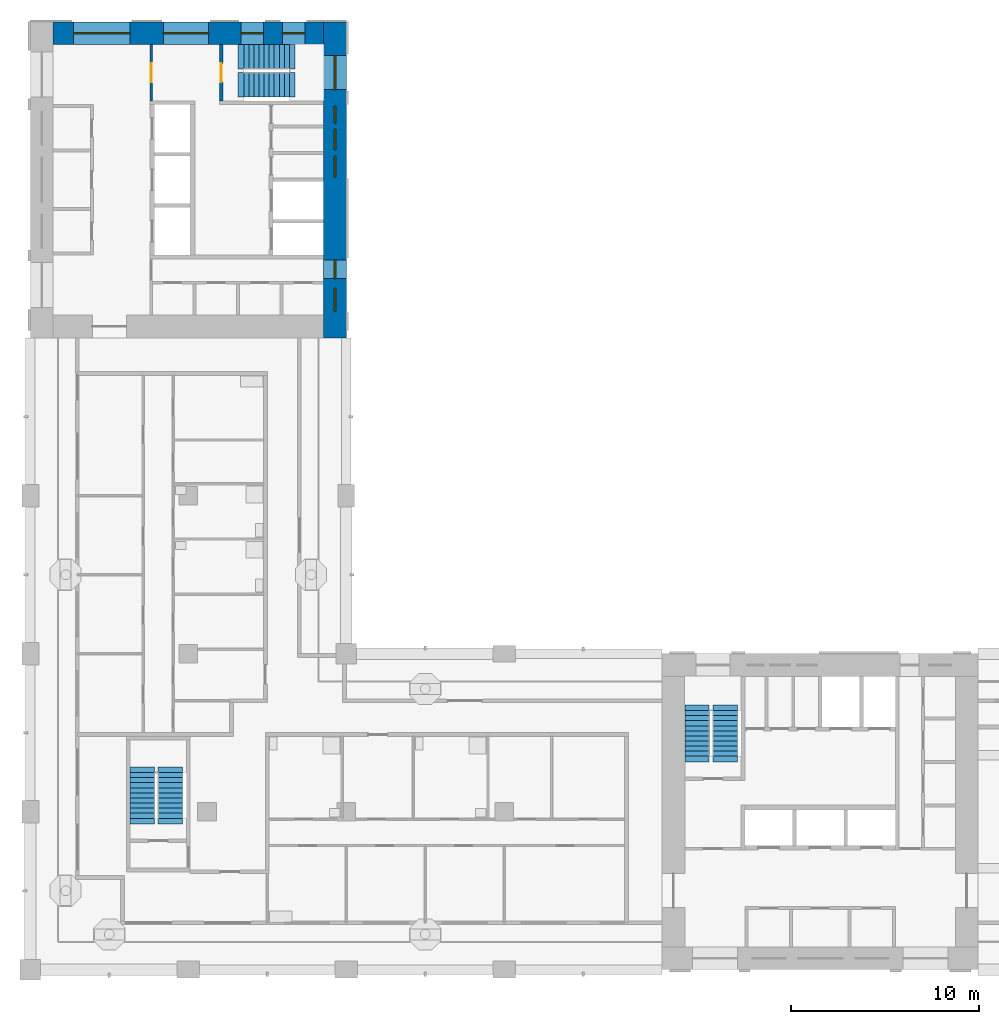
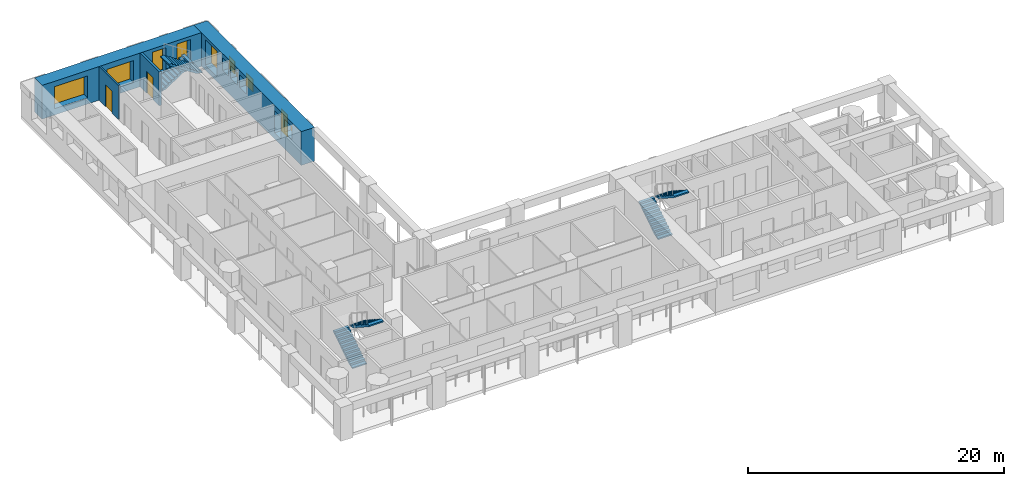
# One storey, part 7 of 13: 10 windows, 6 stair flights, 4 walls, 2 doors, 12 openings, 3 elements without a shape of their own.
"""IFC4 building model written with IfcOpenShell, lengths in metres."""

from ifc_helpers import new_model, si_unit, direction, frame, frame_2d, origin, place, context, subcontext, project, spatial, polyline, rectangle, outline, extrude, material, layer, layer_set, type_object, element, fill, aggregate, save


model = new_model("IFC4")

# Units and contexts
model_context = context("Model", 3, precision=1e-05, world=origin(), true_north=direction((0.0, 1.0)))
body_context = subcontext(model_context, "Body", "Model", "MODEL_VIEW")
ifc_project = project(units=[si_unit("LENGTHUNIT", "METRE"), si_unit("AREAUNIT", "SQUARE_METRE"), si_unit("VOLUMEUNIT", "CUBIC_METRE"), si_unit("PLANEANGLEUNIT", "RADIAN"), si_unit("MASSUNIT", "GRAM", prefix="KILO")], contexts=[model_context])

# Site, building, storey
site_placement = place(None, origin())
site = spatial("IfcSite", under=ifc_project, at=site_placement, CompositionType="ELEMENT")
building_placement = place(site_placement, origin())
building = spatial("IfcBuilding", under=site, at=building_placement, Name="Vermilion Gate Residences", CompositionType="ELEMENT")
storey_placement = place(building_placement, frame((0.0, 0.0, 161.699951171875)))
storey = spatial("IfcBuildingStorey", under=building, at=storey_placement, Name="L41", CompositionType="ELEMENT", Elevation=161.699951171875)

# Wall, opening, door
ifc_material_1 = material(Name="Masonry blockwork", Category="masonry")
ifc_layer_1 = layer(ifc_material_1, 0.14990234375)
ifc_layer_set_1 = layer_set([ifc_layer_1], Name="BLOCKWORK PARTITION 150 EI 120")
wall_type_1 = type_object("IfcWallType", Name="BLOCKWORK PARTITION 150 EI 120", PredefinedType="PARTITIONING", material=ifc_layer_set_1)
wall_1_placement = place(storey_placement, frame((14.824951171875, 57.60009765625, 0.0), z_axis=(0.0, 0.0, 1.0), x_axis=(0.0, -1.0, 0.0)))
wall_1 = element("IfcWall", 1, at=wall_1_placement, inside=storey, type_object=wall_type_1, Name="Core room partition B41-VW-S", PredefinedType="PARTITIONING", context=body_context, shape_type="SweptSolid", body=[
    extrude(rectangle(XDim=3.0, YDim=0.14990234375, at=frame_2d((1.5, 0.0))), origin(), (0.0, 0.0, 1.0), 3.219970703125),
])
opening_1_placement = place(wall_1_placement, frame((1.0, 0.0, 0.0)))
opening_1 = element("IfcOpeningElement", 2, at=opening_1_placement, cuts=wall_1, Name="Opening DK41113", PredefinedType="OPENING", context=body_context, shape_type="SweptSolid", body=[
    extrude(rectangle(XDim=1.0, YDim=2.10009765625, at=frame_2d((0.5, 1.050048828125))), frame((0.0, 0.0849609375, 0.0), z_axis=(0.0, -1.0, 0.0), x_axis=(1.0, 0.0, 0.0)), (0.0, 0.0, 1.0), 0.169921875),
])
ifc_material_2 = material(Name="Steel", Category="steel")
door_type = type_object("IfcDoorType", Name="FIRE DOOR FD60 1000 X 2100", OperationType="SINGLE_SWING_LEFT", PredefinedType="DOOR", material=ifc_material_2)
door_1_placement = place(opening_1_placement, frame((1.0, 0.0, 0.0), z_axis=(0.0, 0.0, 1.0), x_axis=(-1.0, 0.0, 0.0)))
door_1 = element("IfcDoor", 3, at=door_1_placement, inside=storey, type_object=door_type, Name="Stair vestibule door B41", OperationType="SINGLE_SWING_RIGHT", OverallHeight=2.10009765625, OverallWidth=1.0, PredefinedType="DOOR", context=body_context, shape_type="SweptSolid", body=[
    extrude(rectangle(XDim=1.0, YDim=2.10009765625, at=frame_2d((0.5, 1.050048828125))), frame((0.0, 0.02490234375, 0.0), z_axis=(0.0, -1.0, 0.0), x_axis=(1.0, 0.0, 0.0)), (0.0, 0.0, 1.0), 0.050048828125),
])
fill(opening_1, door_1)

ifc_material_3 = material(Name="Concrete C60", Category="concrete")
ifc_layer_2 = layer(ifc_material_3, 0.199951171875)
ifc_layer_set_2 = layer_set([ifc_layer_2], Name="RC CORE INTERNAL WALL 200 C60")
wall_type_2 = type_object("IfcWallType", Name="RC CORE INTERNAL WALL 200 C60", PredefinedType="SHEAR", material=ifc_layer_set_2)
wall_2_placement = place(storey_placement, frame((18.550048828125, 57.60009765625, 0.0), z_axis=(0.0, 0.0, 1.0), x_axis=(0.0, -1.0, 0.0)))
wall_2 = element("IfcWall", 4, at=wall_2_placement, inside=storey, type_object=wall_type_2, Name="Core internal wall B41-STW-S", PredefinedType="SHEAR", context=body_context, shape_type="SweptSolid", body=[
    extrude(rectangle(XDim=3.0, YDim=0.199951171875, at=frame_2d((1.5, 0.0))), origin(), (0.0, 0.0, 1.0), 3.219970703125),
])
opening_2_placement = place(wall_2_placement, frame((1.0, 0.0, 0.0)))
opening_2 = element("IfcOpeningElement", 5, at=opening_2_placement, cuts=wall_2, Name="Opening DK41114", PredefinedType="OPENING", context=body_context, shape_type="SweptSolid", body=[
    extrude(rectangle(XDim=1.0, YDim=2.10009765625, at=frame_2d((0.5, 1.050048828125))), frame((0.0, 0.10986328125, 0.0), z_axis=(0.0, -1.0, 0.0), x_axis=(1.0, 0.0, 0.0)), (0.0, 0.0, 1.0), 0.219970703125),
])
door_2_placement = place(opening_2_placement, origin())
door_2 = element("IfcDoor", 6, at=door_2_placement, inside=storey, type_object=door_type, Name="Stair door B41", OperationType="SINGLE_SWING_LEFT", OverallHeight=2.10009765625, OverallWidth=1.0, PredefinedType="DOOR", context=body_context, shape_type="SweptSolid", body=[
    extrude(rectangle(XDim=1.0, YDim=2.10009765625, at=frame_2d((0.5, 1.050048828125))), frame((0.0, 0.02490234375, 0.0), z_axis=(0.0, -1.0, 0.0), x_axis=(1.0, 0.0, 0.0)), (0.0, 0.0, 1.0), 0.050048828125),
])
fill(opening_2, door_2)

# Wall, openings, windows
ifc_material_4 = material(Name="Concrete C60 red-oxide pigmented", Category="concrete")
ifc_layer_3 = layer(ifc_material_4, 1.199951171875)
ifc_layer_set_3 = layer_set([ifc_layer_3], Name="RC CORE WALL 1200 C60 RED OXIDE")
wall_type_3 = type_object("IfcWallType", Name="RC CORE WALL 1200 C60 RED OXIDE", PredefinedType="SHEAR", material=ifc_layer_set_3)
wall_3_placement = place(storey_placement, frame((24.60009765625, 58.800048828125, 0.0), z_axis=(0.0, 0.0, 1.0), x_axis=(0.0, -1.0, 0.0)))
wall_3 = element("IfcWall", 7, at=wall_3_placement, inside=storey, type_object=wall_type_3, Name="Core wall B41-OUT-B1", PredefinedType="SHEAR", context=body_context, shape_type="SweptSolid", body=[
    extrude(rectangle(XDim=16.800048828125, YDim=1.199951171875, at=frame_2d((8.39990234375, 0.0))), origin(), (0.0, 0.0, 1.0), 3.219970703125),
])
opening_3_placement = place(wall_3_placement, frame((1.800048828125, 0.0, 0.5)))
opening_3 = element("IfcOpeningElement", 8, at=opening_3_placement, cuts=wall_3, Name="Opening WKB4106", PredefinedType="OPENING", context=body_context, shape_type="SweptSolid", body=[
    extrude(rectangle(XDim=1.800048828125, YDim=2.39990234375, at=frame_2d((0.89990234375, 1.199951171875))), frame((0.0, 0.60986328125, 0.0), z_axis=(0.0, -1.0, 0.0), x_axis=(1.0, 0.0, 0.0)), (0.0, 0.0, 1.0), 1.219970703125),
])
opening_4_placement = place(wall_3_placement, frame((4.489990234375, 0.0, 1.60009765625)))
opening_4 = element("IfcOpeningElement", 9, at=opening_4_placement, cuts=wall_3, Name="Opening WKB4107", PredefinedType="OPENING", context=body_context, shape_type="SweptSolid", body=[
    extrude(rectangle(XDim=0.89990234375, YDim=1.199951171875, at=frame_2d((0.449951171875, 0.60009765625))), frame((0.0, 0.60986328125, 0.0), z_axis=(0.0, -1.0, 0.0), x_axis=(1.0, 0.0, 0.0)), (0.0, 0.0, 1.0), 1.219970703125),
])
opening_5_placement = place(wall_3_placement, frame((5.7099609375, 0.0, 1.60009765625)))
opening_5 = element("IfcOpeningElement", 10, at=opening_5_placement, cuts=wall_3, Name="Opening WKB4108", PredefinedType="OPENING", context=body_context, shape_type="SweptSolid", body=[
    extrude(rectangle(XDim=1.10009765625, YDim=1.199951171875, at=frame_2d((0.550048828125, 0.60009765625))), frame((0.0, 0.60986328125, 0.0), z_axis=(0.0, -1.0, 0.0), x_axis=(1.0, 0.0, 0.0)), (0.0, 0.0, 1.0), 1.219970703125),
])
opening_6_placement = place(wall_3_placement, frame((7.14990234375, 0.0, 1.60009765625)))
opening_6 = element("IfcOpeningElement", 11, at=opening_6_placement, cuts=wall_3, Name="Opening WKB4109", PredefinedType="OPENING", context=body_context, shape_type="SweptSolid", body=[
    extrude(rectangle(XDim=1.10009765625, YDim=1.199951171875, at=frame_2d((0.550048828125, 0.60009765625))), frame((0.0, 0.60986328125, 0.0), z_axis=(0.0, -1.0, 0.0), x_axis=(1.0, 0.0, 0.0)), (0.0, 0.0, 1.0), 1.219970703125),
])
opening_7_placement = place(wall_3_placement, frame((12.64990234375, 0.0, 0.60009765625)))
opening_7 = element("IfcOpeningElement", 12, at=opening_7_placement, cuts=wall_3, Name="Opening WKB4110", PredefinedType="OPENING", context=body_context, shape_type="SweptSolid", body=[
    extrude(rectangle(XDim=1.0, YDim=2.10009765625, at=frame_2d((0.5, 1.050048828125))), frame((0.0, 0.60986328125, 0.0), z_axis=(0.0, -1.0, 0.0), x_axis=(1.0, 0.0, 0.0)), (0.0, 0.0, 1.0), 1.219970703125),
])
opening_8_placement = place(wall_3_placement, frame((14.175048828125, 0.0, 1.60009765625)))
opening_8 = element("IfcOpeningElement", 13, at=opening_8_placement, cuts=wall_3, Name="Opening WKB4111", PredefinedType="OPENING", context=body_context, shape_type="SweptSolid", body=[
    extrude(rectangle(XDim=1.199951171875, YDim=1.199951171875, at=frame_2d((0.60009765625, 0.60009765625))), frame((0.0, 0.60986328125, 0.0), z_axis=(0.0, -1.0, 0.0), x_axis=(1.0, 0.0, 0.0)), (0.0, 0.0, 1.0), 1.219970703125),
])
ifc_material_5 = material(Name="Aluminium and clear glass", Category="aluminium")
window_type_1 = type_object("IfcWindowType", Name="CORE CORRIDOR WINDOW 1000 X 2100", PartitioningType="SINGLE_PANEL", PredefinedType="WINDOW", material=ifc_material_5)
window_1_placement = place(opening_7_placement, origin())
window_1 = element("IfcWindow", 14, at=window_1_placement, inside=storey, type_object=window_type_1, Name="Core corridor window", OverallHeight=2.10009765625, OverallWidth=1.0, PartitioningType="SINGLE_PANEL", PredefinedType="WINDOW", context=body_context, shape_type="SweptSolid", body=[
    extrude(rectangle(XDim=1.0, YDim=2.10009765625, at=frame_2d((0.5, 1.050048828125))), frame((0.0, 0.030029296875, 0.0), z_axis=(0.0, -1.0, 0.0), x_axis=(1.0, 0.0, 0.0)), (0.0, 0.0, 1.0), 0.06005859375),
])
fill(opening_7, window_1)
ifc_material_6 = material(Name="Aluminium frame with louvre blades", Category="aluminium")
window_type_2 = type_object("IfcWindowType", Name="CORE LOUVRE 1100 X 1200", PartitioningType="SINGLE_PANEL", PredefinedType="WINDOW", material=ifc_material_6)
window_2_placement = place(opening_5_placement, origin())
window_2 = element("IfcWindow", 15, at=window_2_placement, inside=storey, type_object=window_type_2, Name="Core louvre", OverallHeight=1.199951171875, OverallWidth=1.10009765625, PartitioningType="SINGLE_PANEL", PredefinedType="WINDOW", context=body_context, shape_type="SweptSolid", body=[
    extrude(rectangle(XDim=1.10009765625, YDim=1.199951171875, at=frame_2d((0.550048828125, 0.60009765625))), frame((0.0, 0.030029296875, 0.0), z_axis=(0.0, -1.0, 0.0), x_axis=(1.0, 0.0, 0.0)), (0.0, 0.0, 1.0), 0.06005859375),
])
fill(opening_5, window_2)
window_3_placement = place(opening_6_placement, origin())
window_3 = element("IfcWindow", 16, at=window_3_placement, inside=storey, type_object=window_type_2, Name="Core louvre", OverallHeight=1.199951171875, OverallWidth=1.10009765625, PartitioningType="SINGLE_PANEL", PredefinedType="WINDOW", context=body_context, shape_type="SweptSolid", body=[
    extrude(rectangle(XDim=1.10009765625, YDim=1.199951171875, at=frame_2d((0.550048828125, 0.60009765625))), frame((0.0, 0.030029296875, 0.0), z_axis=(0.0, -1.0, 0.0), x_axis=(1.0, 0.0, 0.0)), (0.0, 0.0, 1.0), 0.06005859375),
])
fill(opening_6, window_3)
ifc_material_7 = material(Name="Aluminium frame with louvre blades", Category="aluminium")
window_type_3 = type_object("IfcWindowType", Name="CORE LOUVRE 1200 X 1200", PartitioningType="SINGLE_PANEL", PredefinedType="WINDOW", material=ifc_material_7)
window_4_placement = place(opening_8_placement, origin())
window_4 = element("IfcWindow", 17, at=window_4_placement, inside=storey, type_object=window_type_3, Name="Core louvre", OverallHeight=1.199951171875, OverallWidth=1.199951171875, PartitioningType="SINGLE_PANEL", PredefinedType="WINDOW", context=body_context, shape_type="SweptSolid", body=[
    extrude(rectangle(XDim=1.199951171875, YDim=1.199951171875, at=frame_2d((0.60009765625, 0.60009765625))), frame((0.0, 0.030029296875, 0.0), z_axis=(0.0, -1.0, 0.0), x_axis=(1.0, 0.0, 0.0)), (0.0, 0.0, 1.0), 0.06005859375),
])
fill(opening_8, window_4)
ifc_material_8 = material(Name="Aluminium frame with louvre blades", Category="aluminium")
window_type_4 = type_object("IfcWindowType", Name="CORE LOUVRE 900 X 1200", PartitioningType="SINGLE_PANEL", PredefinedType="WINDOW", material=ifc_material_8)
window_5_placement = place(opening_4_placement, origin())
window_5 = element("IfcWindow", 18, at=window_5_placement, inside=storey, type_object=window_type_4, Name="Core louvre", OverallHeight=1.199951171875, OverallWidth=0.89990234375, PartitioningType="SINGLE_PANEL", PredefinedType="WINDOW", context=body_context, shape_type="SweptSolid", body=[
    extrude(rectangle(XDim=0.89990234375, YDim=1.199951171875, at=frame_2d((0.449951171875, 0.60009765625))), frame((0.0, 0.030029296875, 0.0), z_axis=(0.0, -1.0, 0.0), x_axis=(1.0, 0.0, 0.0)), (0.0, 0.0, 1.0), 0.06005859375),
])
fill(opening_4, window_5)
ifc_material_9 = material(Name="Aluminium and clear glass", Category="aluminium")
window_type_5 = type_object("IfcWindowType", Name="CORE STAIR WINDOW 1800 X 2400", PartitioningType="SINGLE_PANEL", PredefinedType="WINDOW", material=ifc_material_9)
window_6_placement = place(opening_3_placement, origin())
window_6 = element("IfcWindow", 19, at=window_6_placement, inside=storey, type_object=window_type_5, Name="Core stair window", OverallHeight=2.39990234375, OverallWidth=1.800048828125, PartitioningType="SINGLE_PANEL", PredefinedType="WINDOW", context=body_context, shape_type="SweptSolid", body=[
    extrude(rectangle(XDim=1.800048828125, YDim=2.39990234375, at=frame_2d((0.89990234375, 1.199951171875))), frame((0.0, 0.030029296875, 0.0), z_axis=(0.0, -1.0, 0.0), x_axis=(1.0, 0.0, 0.0)), (0.0, 0.0, 1.0), 0.06005859375),
])
fill(opening_3, window_6)

wall_4_placement = place(storey_placement, frame((9.60009765625, 58.199951171875, 0.0), z_axis=(0.0, 0.0, 1.0), x_axis=(1.0, 0.0, 0.0)))
wall_4 = element("IfcWall", 20, at=wall_4_placement, inside=storey, type_object=wall_type_3, Name="Core wall B41-OUT-FR", PredefinedType="SHEAR", context=body_context, shape_type="SweptSolid", body=[
    extrude(rectangle(XDim=14.39990234375, YDim=1.199951171875, at=frame_2d((7.199951171875, 0.0))), origin(), (0.0, 0.0, 1.0), 3.219970703125),
])
opening_9_placement = place(wall_4_placement, frame((1.10498046875, 0.0, 0.60009765625)))
opening_9 = element("IfcOpeningElement", 21, at=opening_9_placement, cuts=wall_4, Name="Opening WKB4112", PredefinedType="OPENING", context=body_context, shape_type="SweptSolid", body=[
    extrude(rectangle(XDim=3.0, YDim=2.10009765625, at=frame_2d((1.5, 1.050048828125))), frame((0.0, 0.60986328125, 0.0), z_axis=(0.0, -1.0, 0.0), x_axis=(1.0, 0.0, 0.0)), (0.0, 0.0, 1.0), 1.219970703125),
])
opening_10_placement = place(wall_4_placement, frame((5.875, 0.0, 0.60009765625)))
opening_10 = element("IfcOpeningElement", 22, at=opening_10_placement, cuts=wall_4, Name="Opening WKB4113", PredefinedType="OPENING", context=body_context, shape_type="SweptSolid", body=[
    extrude(rectangle(XDim=2.39990234375, YDim=2.10009765625, at=frame_2d((1.199951171875, 1.050048828125))), frame((0.0, 0.60986328125, 0.0), z_axis=(0.0, -1.0, 0.0), x_axis=(1.0, 0.0, 0.0)), (0.0, 0.0, 1.0), 1.219970703125),
])
opening_11_placement = place(wall_4_placement, frame((9.993408203125, 0.0, 0.5)))
opening_11 = element("IfcOpeningElement", 23, at=opening_11_placement, cuts=wall_4, Name="Opening WKB4114", PredefinedType="OPENING", context=body_context, shape_type="SweptSolid", body=[
    extrude(rectangle(XDim=1.199951171875, YDim=2.39990234375, at=frame_2d((0.60009765625, 1.199951171875))), frame((0.0, 0.60986328125, 0.0), z_axis=(0.0, -1.0, 0.0), x_axis=(1.0, 0.0, 0.0)), (0.0, 0.0, 1.0), 1.219970703125),
])
opening_12_placement = place(wall_4_placement, frame((12.19677734375, 0.0, 0.5)))
opening_12 = element("IfcOpeningElement", 24, at=opening_12_placement, cuts=wall_4, Name="Opening WKB4115", PredefinedType="OPENING", context=body_context, shape_type="SweptSolid", body=[
    extrude(rectangle(XDim=1.199951171875, YDim=2.39990234375, at=frame_2d((0.60009765625, 1.199951171875))), frame((0.0, 0.60986328125, 0.0), z_axis=(0.0, -1.0, 0.0), x_axis=(1.0, 0.0, 0.0)), (0.0, 0.0, 1.0), 1.219970703125),
])
ifc_material_10 = material(Name="Aluminium and clear glass", Category="aluminium")
window_type_6 = type_object("IfcWindowType", Name="CORE LOBBY WINDOW 2400 X 2100", PartitioningType="SINGLE_PANEL", PredefinedType="WINDOW", material=ifc_material_10)
window_7_placement = place(opening_10_placement, origin())
window_7 = element("IfcWindow", 25, at=window_7_placement, inside=storey, type_object=window_type_6, Name="Core lobby window", OverallHeight=2.10009765625, OverallWidth=2.39990234375, PartitioningType="SINGLE_PANEL", PredefinedType="WINDOW", context=body_context, shape_type="SweptSolid", body=[
    extrude(rectangle(XDim=2.39990234375, YDim=2.10009765625, at=frame_2d((1.199951171875, 1.050048828125))), frame((0.0, 0.030029296875, 0.0), z_axis=(0.0, -1.0, 0.0), x_axis=(1.0, 0.0, 0.0)), (0.0, 0.0, 1.0), 0.06005859375),
])
fill(opening_10, window_7)
ifc_material_11 = material(Name="Aluminium and clear glass", Category="aluminium")
window_type_7 = type_object("IfcWindowType", Name="CORE LOBBY WINDOW 3000 X 2100", PartitioningType="SINGLE_PANEL", PredefinedType="WINDOW", material=ifc_material_11)
window_8_placement = place(opening_9_placement, origin())
window_8 = element("IfcWindow", 26, at=window_8_placement, inside=storey, type_object=window_type_7, Name="Core lobby window", OverallHeight=2.10009765625, OverallWidth=3.0, PartitioningType="SINGLE_PANEL", PredefinedType="WINDOW", context=body_context, shape_type="SweptSolid", body=[
    extrude(rectangle(XDim=3.0, YDim=2.10009765625, at=frame_2d((1.5, 1.050048828125))), frame((0.0, 0.030029296875, 0.0), z_axis=(0.0, -1.0, 0.0), x_axis=(1.0, 0.0, 0.0)), (0.0, 0.0, 1.0), 0.06005859375),
])
fill(opening_9, window_8)
ifc_material_12 = material(Name="Aluminium and clear glass", Category="aluminium")
window_type_8 = type_object("IfcWindowType", Name="CORE STAIR WINDOW 1200 X 2400", PartitioningType="SINGLE_PANEL", PredefinedType="WINDOW", material=ifc_material_12)
window_9_placement = place(opening_11_placement, origin())
window_9 = element("IfcWindow", 27, at=window_9_placement, inside=storey, type_object=window_type_8, Name="Core stair window", OverallHeight=2.39990234375, OverallWidth=1.199951171875, PartitioningType="SINGLE_PANEL", PredefinedType="WINDOW", context=body_context, shape_type="SweptSolid", body=[
    extrude(rectangle(XDim=1.199951171875, YDim=2.39990234375, at=frame_2d((0.60009765625, 1.199951171875))), frame((0.0, 0.030029296875, 0.0), z_axis=(0.0, -1.0, 0.0), x_axis=(1.0, 0.0, 0.0)), (0.0, 0.0, 1.0), 0.06005859375),
])
fill(opening_11, window_9)
window_10_placement = place(opening_12_placement, origin())
window_10 = element("IfcWindow", 28, at=window_10_placement, inside=storey, type_object=window_type_8, Name="Core stair window", OverallHeight=2.39990234375, OverallWidth=1.199951171875, PartitioningType="SINGLE_PANEL", PredefinedType="WINDOW", context=body_context, shape_type="SweptSolid", body=[
    extrude(rectangle(XDim=1.199951171875, YDim=2.39990234375, at=frame_2d((0.60009765625, 1.199951171875))), frame((0.0, 0.030029296875, 0.0), z_axis=(0.0, -1.0, 0.0), x_axis=(1.0, 0.0, 0.0)), (0.0, 0.0, 1.0), 0.06005859375),
])
fill(opening_12, window_10)

# Stair, stair flights
ifc_material_13 = material(Name="Concrete C50", Category="concrete")
stair_type = type_object("IfcStairType", Name="SPECIAL ESCAPE STAIR 1300", PredefinedType="HALF_TURN_STAIR", material=ifc_material_13)
stair_1_placement = place(storey_placement, origin())
stair_1 = element("IfcStair", 29, at=stair_1_placement, inside=storey, type_object=stair_type, Name="Special escape stair STA1-41", PredefinedType="HALF_TURN_STAIR")
ifc_material_14 = material(Name="Concrete C50", Category="concrete")
stair_flight_type = type_object("IfcStairFlightType", Name="STAIR FLIGHT 1300 RC C50", PredefinedType="STRAIGHT", material=ifc_material_14)
stair_flight_1_placement = place(storey_placement, frame((43.85009765625, 19.75, 0.0), z_axis=(0.0, 0.0, 1.0), x_axis=(0.0, 1.0, 0.0)))
stair_flight_1 = element("IfcStairFlight", 30, at=stair_flight_1_placement, type_object=stair_flight_type, Name="STA1-41 flight 1", NumberOfRisers=10, NumberOfTreads=9, PredefinedType="STRAIGHT", RiserHeight=0.175, TreadLength=0.27, context=body_context, shape_type="SweptSolid", body=[
    extrude(outline(polyline([(-0.300048828125, -0.14990234375), (-0.300048828125, -0.030029296875), (0.0, 0.0), (0.0, 0.175048828125), (0.27001953125, 0.175048828125), (0.27001953125, 0.35009765625), (0.5400390625, 0.35009765625), (0.5400390625, 0.52490234375), (0.81005859375, 0.52490234375), (0.81005859375, 0.699951171875), (1.080078125, 0.699951171875), (1.080078125, 0.875), (1.35009765625, 0.875), (1.35009765625, 1.050048828125), (1.6201171875, 1.050048828125), (1.6201171875, 1.22509765625), (1.889892578125, 1.22509765625), (1.889892578125, 1.39990234375), (2.159912109375, 1.39990234375), (2.159912109375, 1.574951171875), (2.429931640625, 1.574951171875), (2.429931640625, 1.75), (2.72998046875, 1.719970703125), (2.72998046875, 1.60009765625), (2.429931640625, 1.396484375), (0.275634765625, 0.0), (-0.300048828125, -0.14990234375)])), frame((0.0, 0.64990234375, 0.0), z_axis=(0.0, -1.0, 0.0), x_axis=(1.0, 0.0, 0.0)), (0.0, 0.0, 1.0), 1.300048828125),
])
stair_flight_2_placement = place(storey_placement, frame((45.35009765625, 22.179931640625, 1.75), z_axis=(0.0, 0.0, 1.0), x_axis=(0.0, -1.0, 0.0)))
stair_flight_2 = element("IfcStairFlight", 31, at=stair_flight_2_placement, type_object=stair_flight_type, Name="STA1-41 flight 2", NumberOfRisers=10, NumberOfTreads=9, PredefinedType="STRAIGHT", RiserHeight=0.175, TreadLength=0.27, context=body_context, shape_type="SweptSolid", body=[
    extrude(outline(polyline([(-0.300048828125, -0.14990234375), (-0.300048828125, -0.030029296875), (0.0, 0.0), (0.0, 0.175048828125), (0.27001953125, 0.175048828125), (0.27001953125, 0.35009765625), (0.5400390625, 0.35009765625), (0.5400390625, 0.52490234375), (0.81005859375, 0.52490234375), (0.81005859375, 0.699951171875), (1.080078125, 0.699951171875), (1.080078125, 0.875), (1.35009765625, 0.875), (1.35009765625, 1.050048828125), (1.6201171875, 1.050048828125), (1.6201171875, 1.22509765625), (1.889892578125, 1.22509765625), (1.889892578125, 1.39990234375), (2.159912109375, 1.39990234375), (2.159912109375, 1.574951171875), (2.429931640625, 1.574951171875), (2.429931640625, 1.75), (2.72998046875, 1.719970703125), (2.72998046875, 1.60009765625), (2.429931640625, 1.396484375), (0.275634765625, 0.0), (-0.300048828125, -0.14990234375)])), frame((0.0, 0.64990234375, 0.0), z_axis=(0.0, -1.0, 0.0), x_axis=(1.0, 0.0, 0.0)), (0.0, 0.0, 1.0), 1.300048828125),
])
aggregate(stair_1, [stair_flight_1, stair_flight_2])

stair_2_placement = place(storey_placement, origin())
stair_2 = element("IfcStair", 32, at=stair_2_placement, inside=storey, type_object=stair_type, Name="Special escape stair STB1-41", PredefinedType="HALF_TURN_STAIR")
stair_flight_3_placement = place(storey_placement, frame((19.75, 56.949951171875, 0.0), z_axis=(0.0, 0.0, 1.0), x_axis=(1.0, 0.0, 0.0)))
stair_flight_3 = element("IfcStairFlight", 33, at=stair_flight_3_placement, type_object=stair_flight_type, Name="STB1-41 flight 1", NumberOfRisers=10, NumberOfTreads=9, PredefinedType="STRAIGHT", RiserHeight=0.175, TreadLength=0.27, context=body_context, shape_type="SweptSolid", body=[
    extrude(outline(polyline([(-0.300048828125, -0.14990234375), (-0.300048828125, -0.030029296875), (0.0, 0.0), (0.0, 0.175048828125), (0.27001953125, 0.175048828125), (0.27001953125, 0.35009765625), (0.5400390625, 0.35009765625), (0.5400390625, 0.52490234375), (0.81005859375, 0.52490234375), (0.81005859375, 0.699951171875), (1.080078125, 0.699951171875), (1.080078125, 0.875), (1.35009765625, 0.875), (1.35009765625, 1.050048828125), (1.6201171875, 1.050048828125), (1.6201171875, 1.22509765625), (1.889892578125, 1.22509765625), (1.889892578125, 1.39990234375), (2.159912109375, 1.39990234375), (2.159912109375, 1.574951171875), (2.429931640625, 1.574951171875), (2.429931640625, 1.75), (2.72998046875, 1.719970703125), (2.72998046875, 1.60009765625), (2.429931640625, 1.396484375), (0.275634765625, 0.0), (-0.300048828125, -0.14990234375)])), frame((0.0, 0.64990234375, 0.0), z_axis=(0.0, -1.0, 0.0), x_axis=(1.0, 0.0, 0.0)), (0.0, 0.0, 1.0), 1.300048828125),
])
stair_flight_4_placement = place(storey_placement, frame((22.179931640625, 55.449951171875, 1.75), z_axis=(0.0, 0.0, 1.0), x_axis=(-1.0, 0.0, 0.0)))
stair_flight_4 = element("IfcStairFlight", 34, at=stair_flight_4_placement, type_object=stair_flight_type, Name="STB1-41 flight 2", NumberOfRisers=10, NumberOfTreads=9, PredefinedType="STRAIGHT", RiserHeight=0.175, TreadLength=0.27, context=body_context, shape_type="SweptSolid", body=[
    extrude(outline(polyline([(-0.300048828125, -0.14990234375), (-0.300048828125, -0.030029296875), (0.0, 0.0), (0.0, 0.175048828125), (0.27001953125, 0.175048828125), (0.27001953125, 0.35009765625), (0.5400390625, 0.35009765625), (0.5400390625, 0.52490234375), (0.81005859375, 0.52490234375), (0.81005859375, 0.699951171875), (1.080078125, 0.699951171875), (1.080078125, 0.875), (1.35009765625, 0.875), (1.35009765625, 1.050048828125), (1.6201171875, 1.050048828125), (1.6201171875, 1.22509765625), (1.889892578125, 1.22509765625), (1.889892578125, 1.39990234375), (2.159912109375, 1.39990234375), (2.159912109375, 1.574951171875), (2.429931640625, 1.574951171875), (2.429931640625, 1.75), (2.72998046875, 1.719970703125), (2.72998046875, 1.60009765625), (2.429931640625, 1.396484375), (0.275634765625, 0.0), (-0.300048828125, -0.14990234375)])), frame((0.0, 0.64990234375, 0.0), z_axis=(0.0, -1.0, 0.0), x_axis=(1.0, 0.0, 0.0)), (0.0, 0.0, 1.0), 1.300048828125),
])
aggregate(stair_2, [stair_flight_3, stair_flight_4])

stair_3_placement = place(storey_placement, origin())
stair_3 = element("IfcStair", 35, at=stair_3_placement, inside=storey, type_object=stair_type, Name="Special escape stair STC1-41", PredefinedType="HALF_TURN_STAIR")
stair_flight_5_placement = place(storey_placement, frame((14.35009765625, 16.449951171875, 0.0), z_axis=(0.0, 0.0, 1.0), x_axis=(0.0, 1.0, 0.0)))
stair_flight_5 = element("IfcStairFlight", 36, at=stair_flight_5_placement, type_object=stair_flight_type, Name="STC1-41 flight 1", NumberOfRisers=10, NumberOfTreads=9, PredefinedType="STRAIGHT", RiserHeight=0.175, TreadLength=0.27, context=body_context, shape_type="SweptSolid", body=[
    extrude(outline(polyline([(-0.300048828125, -0.14990234375), (-0.300048828125, -0.030029296875), (0.0, 0.0), (0.0, 0.175048828125), (0.27001953125, 0.175048828125), (0.27001953125, 0.35009765625), (0.5400390625, 0.35009765625), (0.5400390625, 0.52490234375), (0.81005859375, 0.52490234375), (0.81005859375, 0.699951171875), (1.080078125, 0.699951171875), (1.080078125, 0.875), (1.35009765625, 0.875), (1.35009765625, 1.050048828125), (1.6201171875, 1.050048828125), (1.6201171875, 1.22509765625), (1.889892578125, 1.22509765625), (1.889892578125, 1.39990234375), (2.159912109375, 1.39990234375), (2.159912109375, 1.574951171875), (2.429931640625, 1.574951171875), (2.429931640625, 1.75), (2.72998046875, 1.719970703125), (2.72998046875, 1.60009765625), (2.429931640625, 1.396484375), (0.275634765625, 0.0), (-0.300048828125, -0.14990234375)])), frame((0.0, 0.64990234375, 0.0), z_axis=(0.0, -1.0, 0.0), x_axis=(1.0, 0.0, 0.0)), (0.0, 0.0, 1.0), 1.300048828125),
])
stair_flight_6_placement = place(storey_placement, frame((15.85009765625, 18.8798828125, 1.75), z_axis=(0.0, 0.0, 1.0), x_axis=(0.0, -1.0, 0.0)))
stair_flight_6 = element("IfcStairFlight", 37, at=stair_flight_6_placement, type_object=stair_flight_type, Name="STC1-41 flight 2", NumberOfRisers=10, NumberOfTreads=9, PredefinedType="STRAIGHT", RiserHeight=0.175, TreadLength=0.27, context=body_context, shape_type="SweptSolid", body=[
    extrude(outline(polyline([(-0.300048828125, -0.14990234375), (-0.300048828125, -0.030029296875), (0.0, 0.0), (0.0, 0.175048828125), (0.27001953125, 0.175048828125), (0.27001953125, 0.35009765625), (0.5400390625, 0.35009765625), (0.5400390625, 0.52490234375), (0.81005859375, 0.52490234375), (0.81005859375, 0.699951171875), (1.080078125, 0.699951171875), (1.080078125, 0.875), (1.35009765625, 0.875), (1.35009765625, 1.050048828125), (1.6201171875, 1.050048828125), (1.6201171875, 1.22509765625), (1.889892578125, 1.22509765625), (1.889892578125, 1.39990234375), (2.159912109375, 1.39990234375), (2.159912109375, 1.574951171875), (2.429931640625, 1.574951171875), (2.429931640625, 1.75), (2.72998046875, 1.719970703125), (2.72998046875, 1.60009765625), (2.429931640625, 1.396484375), (0.275634765625, 0.0), (-0.300048828125, -0.14990234375)])), frame((0.0, 0.64990234375, 0.0), z_axis=(0.0, -1.0, 0.0), x_axis=(1.0, 0.0, 0.0)), (0.0, 0.0, 1.0), 1.300048828125),
])
aggregate(stair_3, [stair_flight_5, stair_flight_6])

save(model, "model.ifc")
